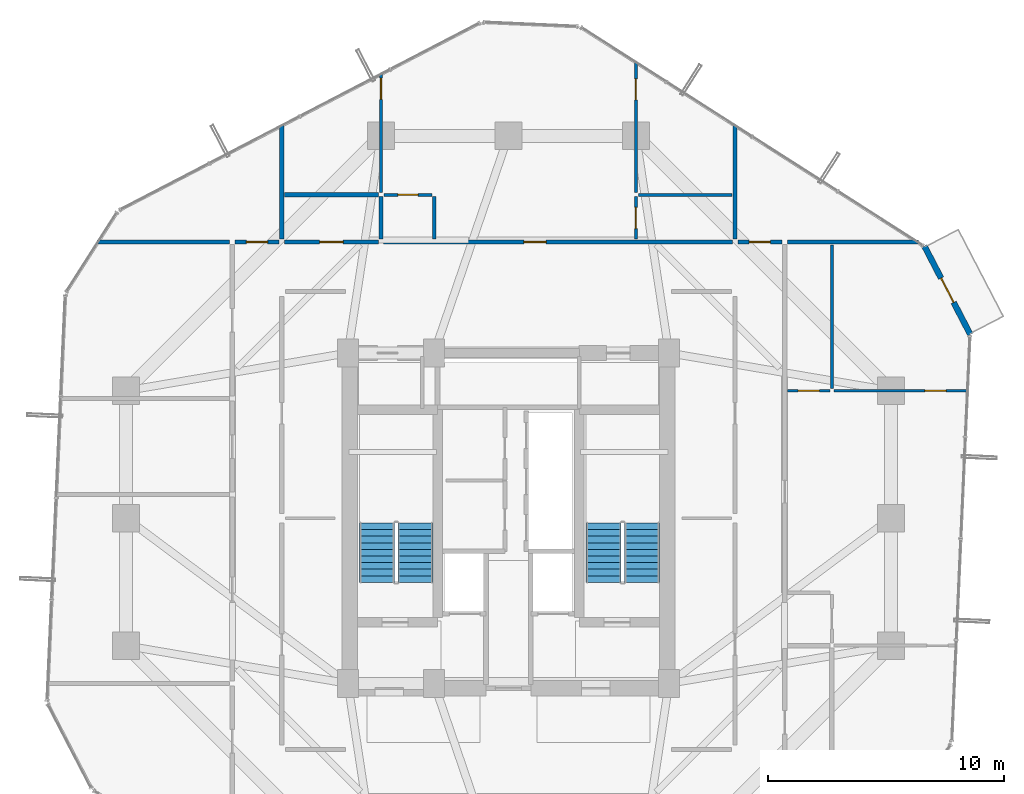
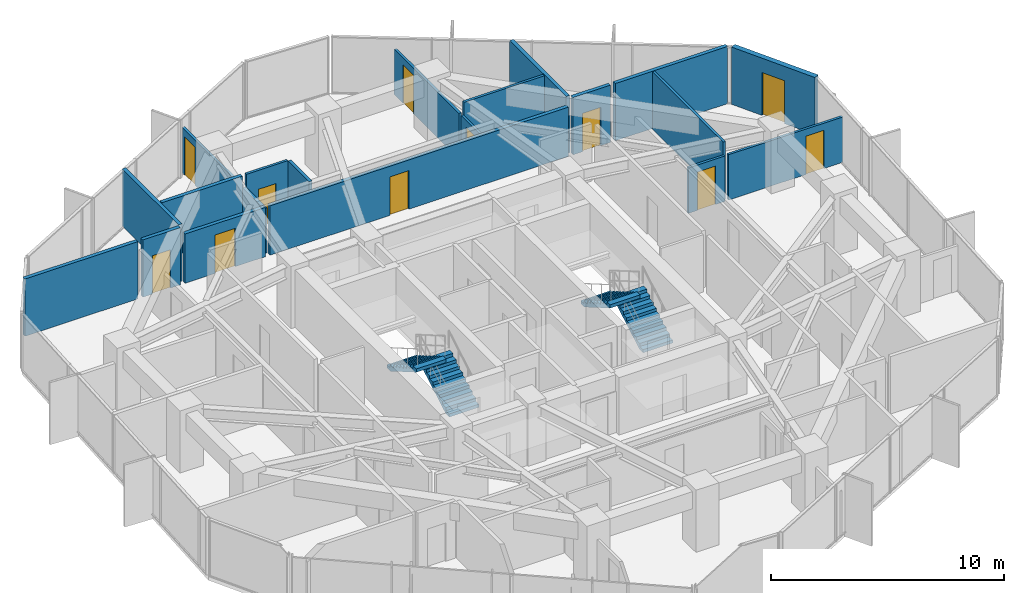
# One storey, part 28 of 30: 20 walls, 11 doors, 4 stair flights, 11 openings, 2 elements without a shape of their own.
"""IFC4 building model written with IfcOpenShell, lengths in metres."""

from ifc_helpers import new_model, si_unit, direction, frame, frame_2d, origin, place, context, subcontext, project, spatial, polyline, rectangle, outline, extrude, source, transform, mapped, material, layer, layer_set, type_object, element, fill, aggregate, save


model = new_model("IFC4")

# Units and contexts
model_context = context("Model", 3, precision=1e-05, world=origin(), true_north=direction((0.0, 1.0)))
body_context = subcontext(model_context, "Body", "Model", "MODEL_VIEW")
ifc_project = project(units=[si_unit("LENGTHUNIT", "METRE"), si_unit("AREAUNIT", "SQUARE_METRE"), si_unit("VOLUMEUNIT", "CUBIC_METRE"), si_unit("PLANEANGLEUNIT", "RADIAN"), si_unit("MASSUNIT", "GRAM", prefix="KILO")], contexts=[model_context])

# Site, building, storey
site_placement = place(None, origin())
site = spatial("IfcSite", under=ifc_project, at=site_placement, CompositionType="ELEMENT")
building_placement = place(site_placement, origin())
building = spatial("IfcBuilding", under=site, at=building_placement, Name="Veraguas Prism Commons", CompositionType="ELEMENT")
storey_placement = place(building_placement, frame((0.0, 0.0, 119.75)))
storey = spatial("IfcBuildingStorey", under=building, at=storey_placement, Name="L33", CompositionType="ELEMENT", Elevation=119.75)

# Walls
ifc_material_1 = material(Name="Autoclaved aerated masonry block 10 MPa", Category="masonry")
ifc_layer_1 = layer(ifc_material_1, 0.179931640625, Name="Corridor and Inter-Tenancy Partition 180", Category="masonry")
ifc_layer_set_1 = layer_set([ifc_layer_1], Name="Autoclaved aerated masonry block 10 MPa")
wall_type_1 = type_object("IfcWallType", Name="Corridor and Inter-Tenancy Partition 180", PredefinedType="PARTITIONING", material=ifc_layer_set_1)
wall_1_placement = place(storey_placement, frame((14.39990234375, 35.820068359375, 0.0), z_axis=(0.0, 0.0, 1.0), x_axis=(0.0, 1.0, 0.0)))
element("IfcWall", 1, at=wall_1_placement, inside=storey, type_object=wall_type_1, Name="WL-L33-PT013", PredefinedType="PARTITIONING", context=body_context, shape_type="SweptSolid", body=[
    extrude(rectangle(XDim=4.84326171875, YDim=0.179931640625, at=frame_2d((2.421630859375, 0.0))), origin(), (0.0, 0.0, 1.0), 3.0),
])
wall_2_placement = place(storey_placement, frame((33.60009765625, 35.820068359375, 0.0), z_axis=(0.0, 0.0, 1.0), x_axis=(0.0, 1.0, 0.0)))
element("IfcWall", 2, at=wall_2_placement, inside=storey, type_object=wall_type_1, Name="WL-L33-PT014", PredefinedType="PARTITIONING", context=body_context, shape_type="SweptSolid", body=[
    extrude(rectangle(XDim=4.84521484375, YDim=0.179931640625, at=frame_2d((2.422607421875, 0.0))), origin(), (0.0, 0.0, 1.0), 3.0),
])

# Wall, opening, door
wall_3_placement = place(storey_placement, frame((14.510009765625, 35.699951171875, 0.0), z_axis=(0.0, 0.0, 1.0), x_axis=(1.0, 0.0, 0.0)))
wall_3 = element("IfcWall", 3, at=wall_3_placement, inside=storey, type_object=wall_type_1, Name="WL-L33-PT015", PredefinedType="PARTITIONING", context=body_context, shape_type="SweptSolid", body=[
    extrude(rectangle(XDim=3.97998046875, YDim=0.179931640625, at=frame_2d((1.989990234375, 0.0))), origin(), (0.0, 0.0, 1.0), 2.580078125),
])
opening_1_placement = place(wall_3_placement, frame((1.489990234375, 0.0, 0.0)))
opening_1 = element("IfcOpeningElement", 4, at=opening_1_placement, cuts=wall_3, Name="Opening DR-13", PredefinedType="OPENING", context=body_context, shape_type="SweptSolid", body=[
    extrude(rectangle(XDim=1.0, YDim=2.010009765625, at=frame_2d((0.5, 1.0048828125))), frame((0.0, 0.099853515625, 0.0), z_axis=(0.0, -1.0, 0.0), x_axis=(1.0, 0.0, 0.0)), (0.0, 0.0, 1.0), 0.199951171875),
])
ifc_material_2 = material(Name="Steel fire-rated door assembly", Category="steel")
door_type_1 = type_object("IfcDoorType", Name="Core Accessible WC and Clinic Fire Door 1000x2010", OperationType="NOTDEFINED", PredefinedType="DOOR", material=ifc_material_2)
shared_shape_1 = source(origin(), body_context, "Body", "SweptSolid", [
    extrude(rectangle(XDim=1.0, YDim=2.010009765625, at=frame_2d((0.5, 1.0048828125))), frame((0.0, 0.02490234375, 0.0), z_axis=(0.0, -1.0, 0.0), x_axis=(1.0, 0.0, 0.0)), (0.0, 0.0, 1.0), 0.050048828125),
])
door_1_placement = place(opening_1_placement, origin())
door_1 = element("IfcDoor", 5, at=door_1_placement, inside=storey, type_object=door_type_1, Name="Residents Study Alcove 33B Door", OperationType="SINGLE_SWING_RIGHT", OverallHeight=2.010009765625, OverallWidth=1.0, PredefinedType="DOOR", context=body_context, shape_type="MappedRepresentation", body=[
    mapped(shared_shape_1, transform((0.0, 0.0, 0.0), scale=1.0)),
])
fill(opening_1, door_1)

wall_4_placement = place(storey_placement, frame((18.7099609375, 35.699951171875, 0.0), z_axis=(0.0, 0.0, 1.0), x_axis=(1.0, 0.0, 0.0)))
wall_4 = element("IfcWall", 6, at=wall_4_placement, inside=storey, type_object=wall_type_1, Name="WL-L33-PT016", PredefinedType="PARTITIONING", context=body_context, shape_type="SweptSolid", body=[
    extrude(rectangle(XDim=14.780029296875, YDim=0.179931640625, at=frame_2d((7.39013671875, 0.0))), origin(), (0.0, 0.0, 1.0), 2.580078125),
])
opening_2_placement = place(wall_4_placement, frame((5.93994140625, 0.0, 0.0)))
opening_2 = element("IfcOpeningElement", 7, at=opening_2_placement, cuts=wall_4, Name="Opening DR-01", PredefinedType="OPENING", context=body_context, shape_type="SweptSolid", body=[
    extrude(rectangle(XDim=0.949951171875, YDim=2.02001953125, at=frame_2d((0.47509765625, 1.010009765625))), frame((0.0, 0.099853515625, 0.0), z_axis=(0.0, -1.0, 0.0), x_axis=(1.0, 0.0, 0.0)), (0.0, 0.0, 1.0), 0.199951171875),
])
ifc_material_3 = material(Name="Anodised aluminium EN AW-6063 T6", Category="aluminium")
door_type_2 = type_object("IfcDoorType", Name="Apartment Entrance Fire Door 950x2020", OperationType="NOTDEFINED", PredefinedType="DOOR", material=ifc_material_3)
shared_shape_2 = source(origin(), body_context, "Body", "SweptSolid", [
    extrude(rectangle(XDim=0.949951171875, YDim=2.02001953125, at=frame_2d((0.47509765625, 1.010009765625))), frame((0.0, 0.02490234375, 0.0), z_axis=(0.0, -1.0, 0.0), x_axis=(1.0, 0.0, 0.0)), (0.0, 0.0, 1.0), 0.050048828125),
])
door_2_placement = place(opening_2_placement, origin())
door_2 = element("IfcDoor", 8, at=door_2_placement, inside=storey, type_object=door_type_2, Name="Flat 33B Entrance Door", OperationType="SINGLE_SWING_LEFT", OverallHeight=2.02001953125, OverallWidth=0.949951171875, PredefinedType="DOOR", context=body_context, shape_type="MappedRepresentation", body=[
    mapped(shared_shape_2, transform((0.0, 0.0, 0.0), scale=1.0)),
])
fill(opening_2, door_2)

# Walls
wall_5_placement = place(storey_placement, frame((14.52001953125, 37.699951171875, 0.0), z_axis=(0.0, 0.0, 1.0), x_axis=(1.0, 0.0, 0.0)))
element("IfcWall", 9, at=wall_5_placement, inside=storey, type_object=wall_type_1, Name="WL-L33-PT017", PredefinedType="PARTITIONING", context=body_context, shape_type="SweptSolid", body=[
    extrude(rectangle(XDim=3.97998046875, YDim=0.179931640625, at=frame_2d((1.989990234375, 0.0))), origin(), (0.0, 0.0, 1.0), 3.0),
])
wall_6_placement = place(storey_placement, frame((18.60009765625, 35.820068359375, 0.0), z_axis=(0.0, 0.0, 1.0), x_axis=(0.0, 1.0, 0.0)))
element("IfcWall", 10, at=wall_6_placement, inside=storey, type_object=wall_type_1, Name="WL-L33-PT018", PredefinedType="PARTITIONING", context=body_context, shape_type="SweptSolid", body=[
    extrude(rectangle(XDim=1.800048828125, YDim=0.179931640625, at=frame_2d((0.89990234375, 0.0))), origin(), (0.0, 0.0, 1.0), 2.3779296875),
])
wall_7_placement = place(storey_placement, frame((12.179931640625, 35.699951171875, 0.0), z_axis=(0.0, 0.0, 1.0), x_axis=(-1.0, 0.0, 0.0)))
element("IfcWall", 11, at=wall_7_placement, inside=storey, type_object=wall_type_1, Name="WL-L33-PT026", PredefinedType="PARTITIONING", context=body_context, shape_type="SweptSolid", body=[
    extrude(rectangle(XDim=5.6025390625, YDim=0.179931640625, at=frame_2d((2.80126953125, 0.0))), origin(), (0.0, 0.0, 1.0), 3.0),
])
wall_8_placement = place(storey_placement, frame((35.820068359375, 35.699951171875, 0.0), z_axis=(0.0, 0.0, 1.0), x_axis=(1.0, 0.0, 0.0)))
element("IfcWall", 12, at=wall_8_placement, inside=storey, type_object=wall_type_1, Name="WL-L33-PT035", PredefinedType="PARTITIONING", context=body_context, shape_type="SweptSolid", body=[
    extrude(rectangle(XDim=5.5556640625, YDim=0.179931640625, at=frame_2d((2.77783203125, 0.0))), origin(), (0.0, 0.0, 1.0), 3.0),
])

# Wall, opening, door
wall_9_placement = place(storey_placement, frame((12.419921875, 35.699951171875, 0.0), z_axis=(0.0, 0.0, 1.0), x_axis=(1.0, 0.0, 0.0)))
wall_9 = element("IfcWall", 13, at=wall_9_placement, inside=storey, type_object=wall_type_1, Name="WL-L33-PT048", PredefinedType="PARTITIONING", context=body_context, shape_type="SweptSolid", body=[
    extrude(rectangle(XDim=1.860107421875, YDim=0.179931640625, at=frame_2d((0.93017578125, 0.0))), origin(), (0.0, 0.0, 1.0), 3.0),
])
opening_3_placement = place(wall_9_placement, frame((0.47998046875, 0.0, 0.0)))
opening_3 = element("IfcOpeningElement", 14, at=opening_3_placement, cuts=wall_9, Name="Opening DR-14", PredefinedType="OPENING", context=body_context, shape_type="SweptSolid", body=[
    extrude(rectangle(XDim=0.89990234375, YDim=2.010009765625, at=frame_2d((0.449951171875, 1.0048828125))), frame((0.0, 0.099853515625, 0.0), z_axis=(0.0, -1.0, 0.0), x_axis=(1.0, 0.0, 0.0)), (0.0, 0.0, 1.0), 0.199951171875),
])
door_type_3 = type_object("IfcDoorType", Name="Core Service Room Fire Door 900x2010", OperationType="NOTDEFINED", PredefinedType="DOOR", material=ifc_material_2)
shared_shape_3 = source(origin(), body_context, "Body", "SweptSolid", [
    extrude(rectangle(XDim=0.89990234375, YDim=2.010009765625, at=frame_2d((0.449951171875, 1.0048828125))), frame((0.0, 0.02490234375, 0.0), z_axis=(0.0, -1.0, 0.0), x_axis=(1.0, 0.0, 0.0)), (0.0, 0.0, 1.0), 0.050048828125),
])
door_3_placement = place(opening_3_placement, origin())
door_3 = element("IfcDoor", 15, at=door_3_placement, inside=storey, type_object=door_type_3, Name="Corner Study NW Door", OperationType="SINGLE_SWING_RIGHT", OverallHeight=2.010009765625, OverallWidth=0.89990234375, PredefinedType="DOOR", context=body_context, shape_type="MappedRepresentation", body=[
    mapped(shared_shape_3, transform((0.0, 0.0, 0.0), scale=1.0)),
])
fill(opening_3, door_3)

wall_10_placement = place(storey_placement, frame((33.719970703125, 35.699951171875, 0.0), z_axis=(0.0, 0.0, 1.0), x_axis=(1.0, 0.0, 0.0)))
wall_10 = element("IfcWall", 16, at=wall_10_placement, inside=storey, type_object=wall_type_1, Name="WL-L33-PT049", PredefinedType="PARTITIONING", context=body_context, shape_type="SweptSolid", body=[
    extrude(rectangle(XDim=1.860107421875, YDim=0.179931640625, at=frame_2d((0.93017578125, 0.0))), origin(), (0.0, 0.0, 1.0), 3.0),
])
opening_4_placement = place(wall_10_placement, frame((0.47998046875, 0.0, 0.0)))
opening_4 = element("IfcOpeningElement", 17, at=opening_4_placement, cuts=wall_10, Name="Opening DR-14", PredefinedType="OPENING", context=body_context, shape_type="SweptSolid", body=[
    extrude(rectangle(XDim=0.89990234375, YDim=2.010009765625, at=frame_2d((0.449951171875, 1.0048828125))), frame((0.0, 0.099853515625, 0.0), z_axis=(0.0, -1.0, 0.0), x_axis=(1.0, 0.0, 0.0)), (0.0, 0.0, 1.0), 0.199951171875),
])
door_4_placement = place(opening_4_placement, origin())
door_4 = element("IfcDoor", 18, at=door_4_placement, inside=storey, type_object=door_type_3, Name="Shared Laundry Room NE Door", OperationType="SINGLE_SWING_LEFT", OverallHeight=2.010009765625, OverallWidth=0.89990234375, PredefinedType="DOOR", context=body_context, shape_type="MappedRepresentation", body=[
    mapped(shared_shape_3, transform((0.0, 0.0, 0.0), scale=1.0)),
])
fill(opening_4, door_4)

ifc_material_4 = material(Name="Precast concrete C40/50", Category="concrete")
ifc_layer_2 = layer(ifc_material_4, 0.25, Name="External Loggia and Portal Wall 250", Category="concrete")
ifc_layer_set_2 = layer_set([ifc_layer_2], Name="Precast concrete C40/50")
wall_type_2 = type_object("IfcWallType", Name="External Loggia and Portal Wall 250", PredefinedType="SOLIDWALL", material=ifc_layer_set_2)
wall_11_placement = place(storey_placement, frame((43.5693359375, 31.776123046875, 0.0), z_axis=(0.0, 0.0, 1.0), x_axis=(-0.460795178744, 0.887506508847, 0.0)))
wall_11 = element("IfcWall", 19, at=wall_11_placement, inside=storey, type_object=wall_type_2, Name="Corner Loggia Wall L33-C1", PredefinedType="SOLIDWALL", context=body_context, shape_type="SweptSolid", body=[
    extrude(rectangle(XDim=4.2333984375, YDim=0.25, at=frame_2d((2.11669921875, 0.0))), origin(), (0.0, 0.0, 1.0), 3.0),
])
opening_5_placement = place(wall_11_placement, frame((1.5419921875, 0.0, 0.0)))
opening_5 = element("IfcOpeningElement", 20, at=opening_5_placement, cuts=wall_11, Name="Opening DR-10", PredefinedType="OPENING", context=body_context, shape_type="SweptSolid", body=[
    extrude(rectangle(XDim=1.14990234375, YDim=2.25, at=frame_2d((0.574951171875, 1.125))), frame((0.0, 0.135009765625, 0.0), z_axis=(0.0, -1.0, 0.0), x_axis=(1.0, 0.0, 0.0)), (0.0, 0.0, 1.0), 0.27001953125),
])
door_type_4 = type_object("IfcDoorType", Name="Glazed Loggia and Terrace Door 1150x2250", OperationType="NOTDEFINED", PredefinedType="DOOR", material=ifc_material_3)
shared_shape_4 = source(origin(), body_context, "Body", "SweptSolid", [
    extrude(rectangle(XDim=1.14990234375, YDim=2.25, at=frame_2d((0.574951171875, 1.125))), frame((0.0, 0.02490234375, 0.0), z_axis=(0.0, -1.0, 0.0), x_axis=(1.0, 0.0, 0.0)), (0.0, 0.0, 1.0), 0.050048828125),
])
door_5_placement = place(opening_5_placement, frame((1.14990234375, 0.0, 0.0), z_axis=(0.0, 0.0, 1.0), x_axis=(-1.0, 0.0, 0.0)))
door_5 = element("IfcDoor", 21, at=door_5_placement, inside=storey, type_object=door_type_4, Name="Recessed Loggia Door L33-C1", OperationType="SINGLE_SWING_LEFT", OverallHeight=2.25, OverallWidth=1.14990234375, PredefinedType="DOOR", context=body_context, shape_type="MappedRepresentation", body=[
    mapped(shared_shape_4, transform((0.0, 0.0, 0.0), scale=1.0)),
])
fill(opening_5, door_5)

ifc_material_5 = material(Name="Lightweight acoustic gypsum board")
ifc_layer_3 = layer(ifc_material_5, 0.125, Name="Internal Apartment Room Partition 125")
ifc_layer_set_3 = layer_set([ifc_layer_3], Name="Lightweight acoustic gypsum board")
wall_type_3 = type_object("IfcWallType", Name="Internal Apartment Room Partition 125", PredefinedType="PARTITIONING", material=ifc_layer_set_3)
wall_12_placement = place(storey_placement, frame((18.60009765625, 37.800048828125, 0.0), z_axis=(0.0, 0.0, 1.0), x_axis=(0.0, 1.0, 0.0)))
wall_12 = element("IfcWall", 22, at=wall_12_placement, inside=storey, type_object=wall_type_3, Name="WL-L33-PT019", PredefinedType="PARTITIONING", context=body_context, shape_type="SweptSolid", body=[
    extrude(rectangle(XDim=5.0439453125, YDim=0.125, at=frame_2d((2.52197265625, 0.0))), origin(), (0.0, 0.0, 1.0), 2.3779296875),
])
opening_6_placement = place(wall_12_placement, frame((3.944091796875, 0.0, 0.0)))
opening_6 = element("IfcOpeningElement", 23, at=opening_6_placement, cuts=wall_12, Name="Opening DR-02", PredefinedType="OPENING", context=body_context, shape_type="SweptSolid", body=[
    extrude(rectangle(XDim=0.89990234375, YDim=2.010009765625, at=frame_2d((0.449951171875, 1.0048828125))), frame((0.0, 0.072509765625, 0.0), z_axis=(0.0, -1.0, 0.0), x_axis=(1.0, 0.0, 0.0)), (0.0, 0.0, 1.0), 0.14501953125),
])
ifc_material_6 = material(Name="Timber solid core hardwood", Category="wood")
door_type_5 = type_object("IfcDoorType", Name="Internal Habitable Room Door 900x2010", OperationType="NOTDEFINED", PredefinedType="DOOR", material=ifc_material_6)
door_6_placement = place(opening_6_placement, origin())
door_6 = element("IfcDoor", 24, at=door_6_placement, inside=storey, type_object=door_type_5, Name="Flat 33B Bedroom 2 Door", OperationType="SINGLE_SWING_RIGHT", OverallHeight=2.010009765625, OverallWidth=0.89990234375, PredefinedType="DOOR", context=body_context, shape_type="MappedRepresentation", body=[
    mapped(shared_shape_3, transform((0.0, 0.0, 0.0), scale=1.0)),
])
fill(opening_6, door_6)

wall_13_placement = place(storey_placement, frame((18.719970703125, 37.699951171875, 0.0), z_axis=(0.0, 0.0, 1.0), x_axis=(1.0, 0.0, 0.0)))
wall_13 = element("IfcWall", 25, at=wall_13_placement, inside=storey, type_object=wall_type_3, Name="WL-L33-PT021", PredefinedType="PARTITIONING", context=body_context, shape_type="SweptSolid", body=[
    extrude(rectangle(XDim=2.050048828125, YDim=0.125, at=frame_2d((1.02490234375, 0.0))), origin(), (0.0, 0.0, 1.0), 3.0),
])
opening_7_placement = place(wall_13_placement, frame((0.594970703125, 0.0, 0.0)))
opening_7 = element("IfcOpeningElement", 26, at=opening_7_placement, cuts=wall_13, Name="Opening DR-03", PredefinedType="OPENING", context=body_context, shape_type="SweptSolid", body=[
    extrude(rectangle(XDim=0.860107421875, YDim=2.010009765625, at=frame_2d((0.43017578125, 1.0048828125))), frame((0.0, 0.072509765625, 0.0), z_axis=(0.0, -1.0, 0.0), x_axis=(1.0, 0.0, 0.0)), (0.0, 0.0, 1.0), 0.14501953125),
])
ifc_material_7 = material(Name="Timber moisture-resistant leaf", Category="wood")
door_type_6 = type_object("IfcDoorType", Name="Internal Bathroom Door 860x2010", OperationType="NOTDEFINED", PredefinedType="DOOR", material=ifc_material_7)
shared_shape_5 = source(origin(), body_context, "Body", "SweptSolid", [
    extrude(rectangle(XDim=0.860107421875, YDim=2.010009765625, at=frame_2d((0.43017578125, 1.0048828125))), frame((0.0, 0.02490234375, 0.0), z_axis=(0.0, -1.0, 0.0), x_axis=(1.0, 0.0, 0.0)), (0.0, 0.0, 1.0), 0.050048828125),
])
door_7_placement = place(opening_7_placement, origin())
door_7 = element("IfcDoor", 27, at=door_7_placement, inside=storey, type_object=door_type_6, Name="Flat 33B Bathroom Door", OperationType="SINGLE_SWING_LEFT", OverallHeight=2.010009765625, OverallWidth=0.860107421875, PredefinedType="DOOR", context=body_context, shape_type="MappedRepresentation", body=[
    mapped(shared_shape_5, transform((0.0, 0.0, 0.0), scale=1.0)),
])
fill(opening_7, door_7)

wall_14_placement = place(storey_placement, frame((29.39990234375, 35.820068359375, 0.0), z_axis=(0.0, 0.0, 1.0), x_axis=(0.0, 1.0, 0.0)))
wall_14 = element("IfcWall", 28, at=wall_14_placement, inside=storey, type_object=wall_type_3, Name="WL-L33-PT022", PredefinedType="PARTITIONING", context=body_context, shape_type="SweptSolid", body=[
    extrude(rectangle(XDim=1.800048828125, YDim=0.125, at=frame_2d((0.89990234375, 0.0))), origin(), (0.0, 0.0, 1.0), 2.3779296875),
])
opening_8_placement = place(wall_14_placement, frame((0.449951171875, 0.0, 0.0)))
opening_8 = element("IfcOpeningElement", 29, at=opening_8_placement, cuts=wall_14, Name="Opening DR-02", PredefinedType="OPENING", context=body_context, shape_type="SweptSolid", body=[
    extrude(rectangle(XDim=0.89990234375, YDim=2.010009765625, at=frame_2d((0.449951171875, 1.0048828125))), frame((0.0, 0.072509765625, 0.0), z_axis=(0.0, -1.0, 0.0), x_axis=(1.0, 0.0, 0.0)), (0.0, 0.0, 1.0), 0.14501953125),
])
door_8_placement = place(opening_8_placement, origin())
door_8 = element("IfcDoor", 30, at=door_8_placement, inside=storey, type_object=door_type_5, Name="Flat 33B Kitchen Door", OperationType="SINGLE_SWING_RIGHT", OverallHeight=2.010009765625, OverallWidth=0.89990234375, PredefinedType="DOOR", context=body_context, shape_type="MappedRepresentation", body=[
    mapped(shared_shape_3, transform((0.0, 0.0, 0.0), scale=1.0)),
])
fill(opening_8, door_8)

# Wall
wall_15_placement = place(storey_placement, frame((29.5, 37.699951171875, 0.0), z_axis=(0.0, 0.0, 1.0), x_axis=(1.0, 0.0, 0.0)))
element("IfcWall", 31, at=wall_15_placement, inside=storey, type_object=wall_type_3, Name="WL-L33-PT023", PredefinedType="PARTITIONING", context=body_context, shape_type="SweptSolid", body=[
    extrude(rectangle(XDim=3.97998046875, YDim=0.125, at=frame_2d((1.989990234375, 0.0))), origin(), (0.0, 0.0, 1.0), 3.0),
])

# Wall, opening, door
wall_16_placement = place(storey_placement, frame((29.39990234375, 37.800048828125, 0.0), z_axis=(0.0, 0.0, 1.0), x_axis=(0.0, 1.0, 0.0)))
wall_16 = element("IfcWall", 32, at=wall_16_placement, inside=storey, type_object=wall_type_3, Name="WL-L33-PT024", PredefinedType="PARTITIONING", context=body_context, shape_type="SweptSolid", body=[
    extrude(rectangle(XDim=5.547119140625, YDim=0.125, at=frame_2d((2.7734375, 0.0))), origin(), (0.0, 0.0, 1.0), 2.3779296875),
])
opening_9_placement = place(wall_16_placement, frame((3.916259765625, 0.0, 0.0)))
opening_9 = element("IfcOpeningElement", 33, at=opening_9_placement, cuts=wall_16, Name="Opening DR-02", PredefinedType="OPENING", context=body_context, shape_type="SweptSolid", body=[
    extrude(rectangle(XDim=0.89990234375, YDim=2.010009765625, at=frame_2d((0.449951171875, 1.0048828125))), frame((0.0, 0.072509765625, 0.0), z_axis=(0.0, -1.0, 0.0), x_axis=(1.0, 0.0, 0.0)), (0.0, 0.0, 1.0), 0.14501953125),
])
door_9_placement = place(opening_9_placement, origin())
door_9 = element("IfcDoor", 34, at=door_9_placement, inside=storey, type_object=door_type_5, Name="Flat 33B Bedroom 1 Door", OperationType="SINGLE_SWING_LEFT", OverallHeight=2.010009765625, OverallWidth=0.89990234375, PredefinedType="DOOR", context=body_context, shape_type="MappedRepresentation", body=[
    mapped(shared_shape_3, transform((0.0, 0.0, 0.0), scale=1.0)),
])
fill(opening_9, door_9)

wall_17_placement = place(storey_placement, frame((35.820068359375, 29.39990234375, 0.0), z_axis=(0.0, 0.0, 1.0), x_axis=(1.0, 0.0, 0.0)))
wall_17 = element("IfcWall", 35, at=wall_17_placement, inside=storey, type_object=wall_type_3, Name="WL-L33-PT043", PredefinedType="PARTITIONING", context=body_context, shape_type="SweptSolid", body=[
    extrude(rectangle(XDim=1.800048828125, YDim=0.125, at=frame_2d((0.89990234375, 0.0))), origin(), (0.0, 0.0, 1.0), 2.3779296875),
])
opening_10_placement = place(wall_17_placement, frame((0.449951171875, 0.0, 0.0)))
opening_10 = element("IfcOpeningElement", 36, at=opening_10_placement, cuts=wall_17, Name="Opening DR-02", PredefinedType="OPENING", context=body_context, shape_type="SweptSolid", body=[
    extrude(rectangle(XDim=0.89990234375, YDim=2.010009765625, at=frame_2d((0.449951171875, 1.0048828125))), frame((0.0, 0.072509765625, 0.0), z_axis=(0.0, -1.0, 0.0), x_axis=(1.0, 0.0, 0.0)), (0.0, 0.0, 1.0), 0.14501953125),
])
door_10_placement = place(opening_10_placement, origin())
door_10 = element("IfcDoor", 37, at=door_10_placement, inside=storey, type_object=door_type_5, Name="Flat 33C Kitchen Door", OperationType="SINGLE_SWING_RIGHT", OverallHeight=2.010009765625, OverallWidth=0.89990234375, PredefinedType="DOOR", context=body_context, shape_type="MappedRepresentation", body=[
    mapped(shared_shape_3, transform((0.0, 0.0, 0.0), scale=1.0)),
])
fill(opening_10, door_10)

# Wall
wall_18_placement = place(storey_placement, frame((37.699951171875, 29.5, 0.0), z_axis=(0.0, 0.0, 1.0), x_axis=(0.0, 1.0, 0.0)))
element("IfcWall", 38, at=wall_18_placement, inside=storey, type_object=wall_type_3, Name="WL-L33-PT044", PredefinedType="PARTITIONING", context=body_context, shape_type="SweptSolid", body=[
    extrude(rectangle(XDim=6.080078125, YDim=0.125, at=frame_2d((3.0400390625, 0.0))), origin(), (0.0, 0.0, 1.0), 3.0),
])

# Wall, opening, door
wall_19_placement = place(storey_placement, frame((37.800048828125, 29.39990234375, 0.0), z_axis=(0.0, 0.0, 1.0), x_axis=(1.0, 0.0, 0.0)))
wall_19 = element("IfcWall", 39, at=wall_19_placement, inside=storey, type_object=wall_type_3, Name="WL-L33-PT045", PredefinedType="PARTITIONING", context=body_context, shape_type="SweptSolid", body=[
    extrude(rectangle(XDim=5.673095703125, YDim=0.125, at=frame_2d((2.83642578125, 0.0))), origin(), (0.0, 0.0, 1.0), 2.3779296875),
])
opening_11_placement = place(wall_19_placement, frame((3.84423828125, 0.0, 0.0)))
opening_11 = element("IfcOpeningElement", 40, at=opening_11_placement, cuts=wall_19, Name="Opening DR-02", PredefinedType="OPENING", context=body_context, shape_type="SweptSolid", body=[
    extrude(rectangle(XDim=0.89990234375, YDim=2.010009765625, at=frame_2d((0.449951171875, 1.0048828125))), frame((0.0, 0.072509765625, 0.0), z_axis=(0.0, -1.0, 0.0), x_axis=(1.0, 0.0, 0.0)), (0.0, 0.0, 1.0), 0.14501953125),
])
door_11_placement = place(opening_11_placement, origin())
door_11 = element("IfcDoor", 41, at=door_11_placement, inside=storey, type_object=door_type_5, Name="Flat 33C Bedroom 1 Door", OperationType="SINGLE_SWING_LEFT", OverallHeight=2.010009765625, OverallWidth=0.89990234375, PredefinedType="DOOR", context=body_context, shape_type="MappedRepresentation", body=[
    mapped(shared_shape_3, transform((0.0, 0.0, 0.0), scale=1.0)),
])
fill(opening_11, door_11)

# Wall
ifc_layer_4 = layer(ifc_material_5, 0.14990234375, Name="Wet Room and Clinic Acoustic Partition 150")
ifc_layer_set_4 = layer_set([ifc_layer_4], Name="Lightweight acoustic gypsum board")
wall_type_4 = type_object("IfcWallType", Name="Wet Room and Clinic Acoustic Partition 150", PredefinedType="PARTITIONING", material=ifc_layer_set_4)
wall_20_placement = place(storey_placement, frame((20.85009765625, 35.820068359375, 0.0), z_axis=(0.0, 0.0, 1.0), x_axis=(0.0, 1.0, 0.0)))
element("IfcWall", 42, at=wall_20_placement, inside=storey, type_object=wall_type_4, Name="WL-L33-PT020", PredefinedType="PARTITIONING", context=body_context, shape_type="SweptSolid", body=[
    extrude(rectangle(XDim=1.800048828125, YDim=0.14990234375, at=frame_2d((0.89990234375, 0.0))), origin(), (0.0, 0.0, 1.0), 3.0),
])

# Stair, stair flights
ifc_material_8 = material(Name="Precast concrete C45/55", Category="concrete")
stair_type = type_object("IfcStairType", Name="Dogleg Core Stair 1480W 20R 05", PredefinedType="HALF_TURN_STAIR", material=ifc_material_8)
stair_1_placement = place(storey_placement, origin())
stair_1 = element("IfcStair", 43, at=stair_1_placement, inside=storey, type_object=stair_type, Name="Protected Exit Stair ST-01 L33", PredefinedType="HALF_TURN_STAIR")
stair_flight_type = type_object("IfcStairFlightType", Name="Precast Stair Flight 1480W 10R 05", PredefinedType="STRAIGHT", material=ifc_material_8)
stair_flight_1_placement = place(storey_placement, frame((20.06005859375, 21.280029296875, 0.0), z_axis=(0.0, 0.0, 1.0), x_axis=(0.0, 1.0, 0.0)))
stair_flight_1 = element("IfcStairFlight", 44, at=stair_flight_1_placement, type_object=stair_flight_type, Name="ST-05 Flight 1", NumberOfRisers=10, NumberOfTreads=9, PredefinedType="STRAIGHT", RiserHeight=0.1625, TreadLength=0.28, context=body_context, shape_type="SweptSolid", body=[
    extrude(outline(polyline([(0.0, 0.0), (0.0, 0.16259765625), (0.280029296875, 0.16259765625), (0.280029296875, 0.324951171875), (0.56005859375, 0.324951171875), (0.56005859375, 0.487548828125), (0.840087890625, 0.487548828125), (0.840087890625, 0.64990234375), (1.1201171875, 0.64990234375), (1.1201171875, 0.8125), (1.39990234375, 0.8125), (1.39990234375, 0.97509765625), (1.679931640625, 0.97509765625), (1.679931640625, 1.137451171875), (1.9599609375, 1.137451171875), (1.9599609375, 1.300048828125), (2.239990234375, 1.300048828125), (2.239990234375, 1.46240234375), (2.52001953125, 1.46240234375), (2.52001953125, 1.625), (2.52001953125, 1.2890625), (0.298583984375, 0.0), (0.0, 0.0)])), frame((0.0, 0.739990234375, 0.0), z_axis=(0.0, -1.0, 0.0), x_axis=(1.0, 0.0, 0.0)), (0.0, 0.0, 1.0), 1.47998046875),
])
stair_flight_2_placement = place(storey_placement, frame((18.429931640625, 23.800048828125, 1.625), z_axis=(0.0, 0.0, 1.0), x_axis=(0.0, -1.0, 0.0)))
stair_flight_2 = element("IfcStairFlight", 45, at=stair_flight_2_placement, type_object=stair_flight_type, Name="ST-05 Flight 2", NumberOfRisers=10, NumberOfTreads=9, PredefinedType="STRAIGHT", RiserHeight=0.1625, TreadLength=0.28, context=body_context, shape_type="SweptSolid", body=[
    extrude(outline(polyline([(0.0, 0.0), (0.0, 0.16259765625), (0.280029296875, 0.16259765625), (0.280029296875, 0.324951171875), (0.56005859375, 0.324951171875), (0.56005859375, 0.487548828125), (0.840087890625, 0.487548828125), (0.840087890625, 0.64990234375), (1.1201171875, 0.64990234375), (1.1201171875, 0.8125), (1.39990234375, 0.8125), (1.39990234375, 0.97509765625), (1.679931640625, 0.97509765625), (1.679931640625, 1.137451171875), (1.9599609375, 1.137451171875), (1.9599609375, 1.300048828125), (2.239990234375, 1.300048828125), (2.239990234375, 1.46240234375), (2.52001953125, 1.46240234375), (2.52001953125, 1.625), (2.52001953125, 1.2890625), (0.298583984375, 0.0), (0.0, 0.0)])), frame((0.0, 0.739990234375, 0.0), z_axis=(0.0, -1.0, 0.0), x_axis=(1.0, 0.0, 0.0)), (0.0, 0.0, 1.0), 1.47998046875),
])
aggregate(stair_1, [stair_flight_1, stair_flight_2])

stair_2_placement = place(storey_placement, origin())
stair_2 = element("IfcStair", 46, at=stair_2_placement, inside=storey, type_object=stair_type, Name="Protected Exit Stair ST-02 L33", PredefinedType="HALF_TURN_STAIR")
stair_flight_3_placement = place(storey_placement, frame((29.659912109375, 21.280029296875, 0.0), z_axis=(0.0, 0.0, 1.0), x_axis=(0.0, 1.0, 0.0)))
stair_flight_3 = element("IfcStairFlight", 47, at=stair_flight_3_placement, type_object=stair_flight_type, Name="ST-05 Flight 1", NumberOfRisers=10, NumberOfTreads=9, PredefinedType="STRAIGHT", RiserHeight=0.1625, TreadLength=0.28, context=body_context, shape_type="SweptSolid", body=[
    extrude(outline(polyline([(0.0, 0.0), (0.0, 0.16259765625), (0.280029296875, 0.16259765625), (0.280029296875, 0.324951171875), (0.56005859375, 0.324951171875), (0.56005859375, 0.487548828125), (0.840087890625, 0.487548828125), (0.840087890625, 0.64990234375), (1.1201171875, 0.64990234375), (1.1201171875, 0.8125), (1.39990234375, 0.8125), (1.39990234375, 0.97509765625), (1.679931640625, 0.97509765625), (1.679931640625, 1.137451171875), (1.9599609375, 1.137451171875), (1.9599609375, 1.300048828125), (2.239990234375, 1.300048828125), (2.239990234375, 1.46240234375), (2.52001953125, 1.46240234375), (2.52001953125, 1.625), (2.52001953125, 1.2890625), (0.298583984375, 0.0), (0.0, 0.0)])), frame((0.0, 0.739990234375, 0.0), z_axis=(0.0, -1.0, 0.0), x_axis=(1.0, 0.0, 0.0)), (0.0, 0.0, 1.0), 1.47998046875),
])
stair_flight_4_placement = place(storey_placement, frame((28.030029296875, 23.800048828125, 1.625), z_axis=(0.0, 0.0, 1.0), x_axis=(0.0, -1.0, 0.0)))
stair_flight_4 = element("IfcStairFlight", 48, at=stair_flight_4_placement, type_object=stair_flight_type, Name="ST-05 Flight 2", NumberOfRisers=10, NumberOfTreads=9, PredefinedType="STRAIGHT", RiserHeight=0.1625, TreadLength=0.28, context=body_context, shape_type="SweptSolid", body=[
    extrude(outline(polyline([(0.0, 0.0), (0.0, 0.16259765625), (0.280029296875, 0.16259765625), (0.280029296875, 0.324951171875), (0.56005859375, 0.324951171875), (0.56005859375, 0.487548828125), (0.840087890625, 0.487548828125), (0.840087890625, 0.64990234375), (1.1201171875, 0.64990234375), (1.1201171875, 0.8125), (1.39990234375, 0.8125), (1.39990234375, 0.97509765625), (1.679931640625, 0.97509765625), (1.679931640625, 1.137451171875), (1.9599609375, 1.137451171875), (1.9599609375, 1.300048828125), (2.239990234375, 1.300048828125), (2.239990234375, 1.46240234375), (2.52001953125, 1.46240234375), (2.52001953125, 1.625), (2.52001953125, 1.2890625), (0.298583984375, 0.0), (0.0, 0.0)])), frame((0.0, 0.739990234375, 0.0), z_axis=(0.0, -1.0, 0.0), x_axis=(1.0, 0.0, 0.0)), (0.0, 0.0, 1.0), 1.47998046875),
])
aggregate(stair_2, [stair_flight_3, stair_flight_4])

save(model, "model.ifc")
